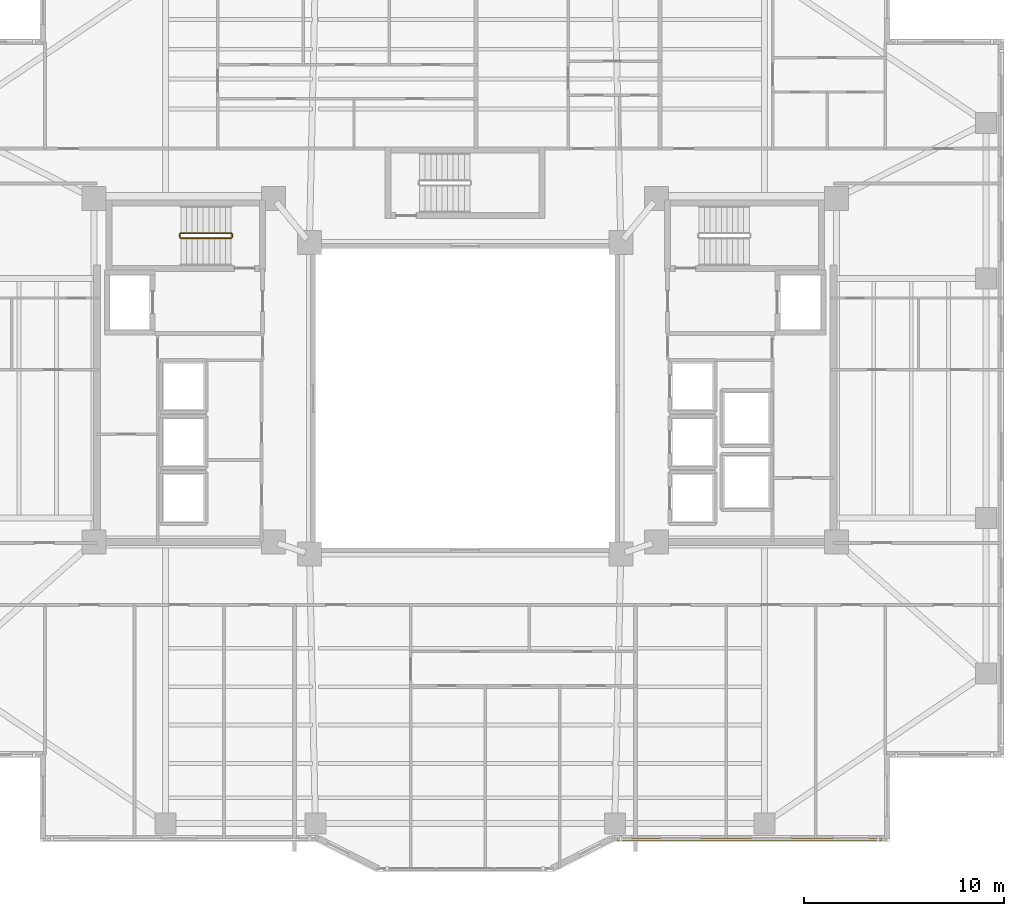
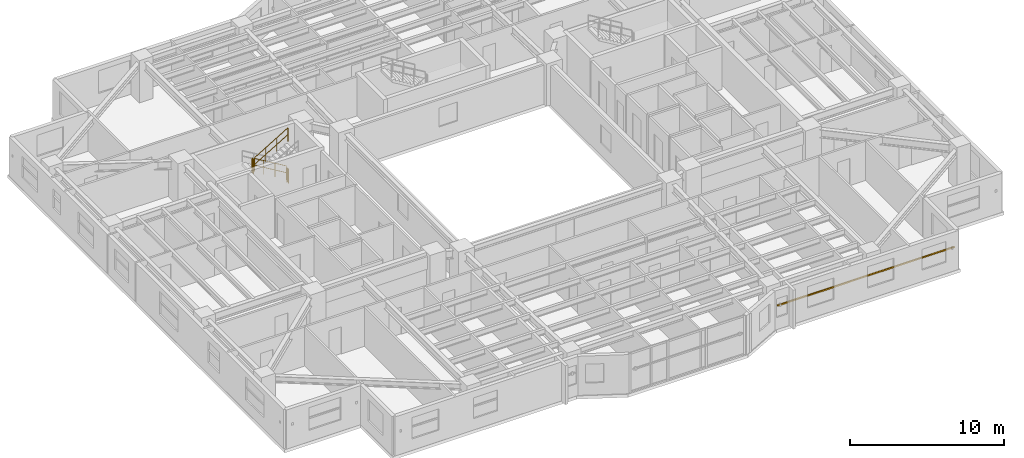
# One storey, part 15 of 18: 4 railings, 1 shading device.
"""IFC4 building model written with IfcOpenShell, lengths in metres."""

import ifcopenshell
import ifcopenshell.guid

model = None  # the IFC model being written
_history = None  # IfcOwnerHistory: only IFC2X3 demands one
_inside = {}  # id of a spatial element -> (the spatial element, [elements in it])
_under = {}  # id of a project, library or spatial element -> (it, [spatial elements below it])
_declared = {}  # id of a project -> (the project, [libraries it declares])
_typed = {}  # id of a type object -> (the type object, [elements of that type])
_made_of = {}  # id of a material, layer set ... -> (it, [elements and type objects made of it])


def new_model(schema):
    """Start an empty IFC model of exactly this schema.

    Asked for "IFC4X3", IfcOpenShell would pick the latest addendum, in which some entities
    have other attributes; the version numbers below select the first issue.
    IFC2X3 requires an IfcOwnerHistory on every rooted entity: one is made here for all.
    """
    global model, _history
    if schema == "IFC4X3":
        model = ifcopenshell.file(schema_version=(4, 3, 0, 0))
    else:
        model = ifcopenshell.file(schema=schema)
    _inside.clear()
    _under.clear()
    _declared.clear()
    _typed.clear()
    _made_of.clear()
    _history = None
    if model.schema == "IFC2X3":
        org = make("IfcOrganization", Name="unknown")
        user = make(
            "IfcPersonAndOrganization",
            ThePerson=make("IfcPerson", FamilyName="unknown"),
            TheOrganization=org,
        )
        app = make(
            "IfcApplication",
            ApplicationDeveloper=org,
            Version="unknown",
            ApplicationFullName="unknown",
            ApplicationIdentifier="unknown",
        )
        _history = make(
            "IfcOwnerHistory",
            OwningUser=user,
            OwningApplication=app,
            ChangeAction="ADDED",
            CreationDate=0,
        )
    return model


def make(cls, **values):
    """One entity of the class cls with the attributes given. An attribute that is None is left unset."""
    return model.create_entity(
        cls, **{name: value for name, value in values.items() if value is not None}
    )


def rooted(cls, **values):
    """An entity with a GlobalId (a new one), such as an element, a storey or a relation."""
    return make(cls, GlobalId=ifcopenshell.guid.new(), OwnerHistory=_history, **values)


def si_unit(unit_type, name, prefix=None):
    """IfcSIUnit, for example si_unit("LENGTHUNIT", "METRE", prefix="MILLI")."""
    return make("IfcSIUnit", UnitType=unit_type, Prefix=prefix, Name=name)


def assignment(units):
    """IfcUnitAssignment: the units of a project."""
    return None if units is None else make("IfcUnitAssignment", Units=units)


def point(xyz):
    """IfcCartesianPoint."""
    return None if xyz is None else make("IfcCartesianPoint", Coordinates=xyz)


def direction(xyz):
    """IfcDirection."""
    return None if xyz is None else make("IfcDirection", DirectionRatios=xyz)


def frame(location, z_axis=None, x_axis=None):
    """IfcAxis2Placement3D, a coordinate frame: its origin and axes. An axis left out is left unset."""
    return make(
        "IfcAxis2Placement3D",
        Location=point(location),
        Axis=direction(z_axis),
        RefDirection=direction(x_axis),
    )


def frame_2d(location, x_axis=None):
    """IfcAxis2Placement2D, a coordinate frame in the plane: its origin and x axis."""
    return make(
        "IfcAxis2Placement2D", Location=point(location), RefDirection=direction(x_axis)
    )


def origin():
    """The frame at (0, 0, 0) with its axes left unset."""
    return frame((0.0, 0.0, 0.0))


def origin_2d():
    """The frame at (0, 0) in the plane with its x axis left unset."""
    return frame_2d((0.0, 0.0))


def place(relative_to, where):
    """IfcLocalPlacement: puts the frame where relative to a parent placement (None: the world)."""
    return make(
        "IfcLocalPlacement", PlacementRelTo=relative_to, RelativePlacement=where
    )


def context(
    kind, dimensions, precision=None, world=None, true_north=None, identifier=None
):
    """IfcGeometricRepresentationContext, for example the 3D "Model" context."""
    return make(
        "IfcGeometricRepresentationContext",
        ContextIdentifier=identifier,
        ContextType=kind,
        CoordinateSpaceDimension=dimensions,
        Precision=precision,
        WorldCoordinateSystem=world,
        TrueNorth=true_north,
    )


def subcontext(parent, identifier, kind, view, scale=None):
    """IfcGeometricRepresentationSubContext, for example "Body" below "Model"."""
    return make(
        "IfcGeometricRepresentationSubContext",
        ContextIdentifier=identifier,
        ContextType=kind,
        ParentContext=parent,
        TargetScale=scale,
        TargetView=view,
    )


def project(units=None, contexts=None):
    """IfcProject with its units and contexts."""
    return rooted(
        "IfcProject",
        Name="project",
        RepresentationContexts=contexts,
        UnitsInContext=assignment(units),
    )


def spatial(cls, under=None, at=None, **own):
    """A site, building, storey or space (cls), placed at a placement, below another one or the project."""
    s = rooted(cls, ObjectPlacement=at, **own)
    if under is not None:
        _under.setdefault(under.id(), (under, []))[1].append(s)
    return s


def profile(cls, at=None, kind="AREA", **sizes):
    """A parametric profile (cls). Its sizes go by their IFC names, for example OverallWidth=200.0."""
    return make(cls, ProfileType=kind, Position=at, **sizes)


def rectangle(**sizes):
    """IfcRectangleProfileDef."""
    return profile("IfcRectangleProfileDef", **sizes)


def circle(**sizes):
    """IfcCircleProfileDef."""
    return profile("IfcCircleProfileDef", **sizes)


def extrude(swept, where, along, depth):
    """IfcExtrudedAreaSolid: the profile swept, set in the frame where, extruded along a direction by depth."""
    return make(
        "IfcExtrudedAreaSolid",
        SweptArea=swept,
        Position=where,
        ExtrudedDirection=direction(along),
        Depth=depth,
    )


def shape(context_of_items, identifier, shape_type, items):
    """IfcShapeRepresentation: the items that make up one representation, for example the "Body"."""
    return make(
        "IfcShapeRepresentation",
        ContextOfItems=context_of_items,
        RepresentationIdentifier=identifier,
        RepresentationType=shape_type,
        Items=items,
    )


def material(Name=None, Category=None):
    """IfcMaterial."""
    return make("IfcMaterial", Name=Name, Category=Category)


def material_profile(
    of_material, cross_section, Name=None, Category=None, Priority=None
):
    """IfcMaterialProfile: a cross section and its material."""
    return make(
        "IfcMaterialProfile",
        Name=Name,
        Material=of_material,
        Profile=cross_section,
        Priority=Priority,
        Category=Category,
    )


def profile_set(profiles, Name=None, composite=None):
    """IfcMaterialProfileSet."""
    return make(
        "IfcMaterialProfileSet",
        Name=Name,
        MaterialProfiles=profiles,
        CompositeProfile=composite,
    )


def made_of(thing, what):
    """Note that an element or type object is made of a material, layer set ...; save() writes the relation."""
    if what is not None:
        _made_of.setdefault(what.id(), (what, []))[1].append(thing)
    return thing


def type_object(cls, material=None, **own):
    """A type object (cls), such as IfcWallType, which elements share."""
    return made_of(rooted(cls, **own), material)


def element(
    cls,
    number,
    at=None,
    inside=None,
    cuts=None,
    type_object=None,
    material=None,
    context=None,
    identifier="Body",
    shape_type=None,
    held_by="IfcProductDefinitionShape",
    body=None,
    shapes=None,
    **own,
):
    """One element of the class cls, such as IfcWall. Its Tag is "e" and its number.

    at: its placement. inside: the storey or other place that contains it. cuts: it is an
    opening in that element (IfcRelVoidsElement). A single representation is given by context,
    identifier, shape_type and body (its items); several are given by shapes. held_by: the class
    of the entity that holds the representations. save() writes the other relations.
    """
    e = rooted(cls, Tag="e%d" % number, ObjectPlacement=at, **own)
    if body is not None:
        shapes = [shape(context, identifier, shape_type, body)]
    if shapes is not None:
        e.Representation = make(held_by, Representations=shapes)
    if inside is not None:
        _inside.setdefault(inside.id(), (inside, []))[1].append(e)
    if cuts is not None:
        rooted(
            "IfcRelVoidsElement", RelatingBuildingElement=cuts, RelatedOpeningElement=e
        )
    if type_object is not None:
        _typed.setdefault(type_object.id(), (type_object, []))[1].append(e)
    return made_of(e, material)


def aggregate(whole, parts):
    """IfcRelAggregates: a whole, such as a stair, and the parts it consists of."""
    return rooted("IfcRelAggregates", RelatingObject=whole, RelatedObjects=parts)


def save(model, path):
    """Write the relations noted so far, then the file.

    IfcRelAggregates (storeys below a building ...), IfcRelContainedInSpatialStructure (elements
    in a storey), IfcRelDefinesByType, IfcRelAssociatesMaterial and IfcRelDeclares: one each for
    every whole, place, type object, material and project.
    """
    for whole, parts in _under.values():
        aggregate(whole, parts)
    for where, things in _inside.values():
        rooted(
            "IfcRelContainedInSpatialStructure",
            RelatedElements=things,
            RelatingStructure=where,
        )
    for kind, things in _typed.values():
        rooted("IfcRelDefinesByType", RelatedObjects=things, RelatingType=kind)
    for what, things in _made_of.values():
        rooted("IfcRelAssociatesMaterial", RelatedObjects=things, RelatingMaterial=what)
    for by, libraries in _declared.values():
        rooted("IfcRelDeclares", RelatingContext=by, RelatedDefinitions=libraries)
    model.write(path)


model = new_model("IFC4")

# Units and contexts
model_context = context("Model", 3, precision=1e-05, world=origin(), true_north=direction((0.0, 1.0)))
body_context = subcontext(model_context, "Body", "Model", "MODEL_VIEW")
ifc_project = project(units=[si_unit("LENGTHUNIT", "METRE"), si_unit("AREAUNIT", "SQUARE_METRE"), si_unit("VOLUMEUNIT", "CUBIC_METRE"), si_unit("PLANEANGLEUNIT", "RADIAN"), si_unit("MASSUNIT", "GRAM", prefix="KILO")], contexts=[model_context])

# Site, building, storey
site_placement = place(None, origin())
site = spatial("IfcSite", under=ifc_project, at=site_placement, CompositionType="ELEMENT")
building_placement = place(site_placement, origin())
building = spatial("IfcBuilding", under=site, at=building_placement, Name="Tarnavaz Court Tower", CompositionType="ELEMENT")
storey_placement = place(building_placement, frame((0.0, 0.0, 95.050048828125)))
storey = spatial("IfcBuildingStorey", under=building, at=storey_placement, Name="L25", CompositionType="ELEMENT", Elevation=95.050048828125)

# Railings
ifc_material_1 = material(Name="Galvanized Painted Tubular Steel", Category="steel")
railing_type = type_object("IfcRailingType", Name="RL-STGUARD-1120", PredefinedType="GUARDRAIL", material=ifc_material_1)
railing_1_placement = place(storey_placement, frame((-11.719970703125, 8.27001953125, 0.16748046875)))
element("IfcRailing", 1, at=railing_1_placement, inside=storey, type_object=railing_type, Name="L25 ST-W1 stair guard 1", PredefinedType="GUARDRAIL", context=body_context, shape_type="SweptSolid", body=[
    extrude(circle(Radius=0.02392578125, at=origin_2d()), frame((0.0, 0.0, 1.09619140625), z_axis=(-0.858159760407, 0.0, 0.513382728203), x_axis=(0.0, -1.0, 0.0)), (0.0, 0.0, 1.0), 2.9365234375),
    extrude(circle(Radius=0.02392578125, at=origin_2d()), frame((0.0, 0.0, 0.56005859375), z_axis=(-0.858159760407, 0.0, 0.513382728203), x_axis=(0.0, -1.0, 0.0)), (0.0, 0.0, 1.0), 2.9365234375),
    extrude(circle(Radius=0.02099609375, at=origin_2d()), origin(), (0.0, 0.0, 1.0), 1.072021484375),
    extrude(circle(Radius=0.02099609375, at=origin_2d()), frame((-0.840087890625, 0.0, 0.50244140625)), (0.0, 0.0, 1.0), 1.072021484375),
    extrude(circle(Radius=0.02099609375, at=origin_2d()), frame((-1.679931640625, 0.0, 1.005126953125)), (0.0, 0.0, 1.0), 1.072021484375),
    extrude(circle(Radius=0.02099609375, at=origin_2d()), frame((-2.52001953125, 0.0, 1.507568359375)), (0.0, 0.0, 1.0), 1.072021484375),
])
railing_2_placement = place(storey_placement, frame((-14.2900390625, 8.219970703125, 1.675048828125)))
element("IfcRailing", 2, at=railing_2_placement, inside=storey, type_object=railing_type, Name="L25 ST-W1 stair guard 2", PredefinedType="GUARDRAIL", context=body_context, shape_type="SweptSolid", body=[
    extrude(circle(Radius=0.02392578125, at=origin_2d()), frame((0.0, 0.0, 1.09619140625), z_axis=(0.0, -1.0, 0.0), x_axis=(1.0, 0.0, 0.0)), (0.0, 0.0, 1.0), 0.14990234375),
    extrude(circle(Radius=0.02392578125, at=origin_2d()), frame((0.0, 0.0, 0.56005859375), z_axis=(0.0, -1.0, 0.0), x_axis=(1.0, 0.0, 0.0)), (0.0, 0.0, 1.0), 0.14990234375),
    extrude(circle(Radius=0.02099609375, at=origin_2d()), origin(), (0.0, 0.0, 1.0), 1.072021484375),
    extrude(circle(Radius=0.02099609375, at=origin_2d()), frame((0.0, -0.14990234375, 0.0)), (0.0, 0.0, 1.0), 1.072021484375),
])
railing_3_placement = place(storey_placement, frame((-14.239990234375, 8.02001953125, 1.842529296875)))
element("IfcRailing", 3, at=railing_3_placement, inside=storey, type_object=railing_type, Name="L25 ST-W1 stair guard 3", PredefinedType="GUARDRAIL", context=body_context, shape_type="SweptSolid", body=[
    extrude(circle(Radius=0.02392578125, at=origin_2d()), frame((0.0, 0.0, 1.09619140625), z_axis=(0.858196387827, 0.0, 0.513321497621), x_axis=(0.0, 1.0, 0.0)), (0.0, 0.0, 1.0), 2.9365234375),
    extrude(circle(Radius=0.02392578125, at=origin_2d()), frame((0.0, 0.0, 0.56005859375), z_axis=(0.858196387827, 0.0, 0.513321497621), x_axis=(0.0, 1.0, 0.0)), (0.0, 0.0, 1.0), 2.9365234375),
    extrude(circle(Radius=0.02099609375, at=origin_2d()), origin(), (0.0, 0.0, 1.0), 1.072021484375),
    extrude(circle(Radius=0.02099609375, at=origin_2d()), frame((0.840087890625, 0.0, 0.50244140625)), (0.0, 0.0, 1.0), 1.072021484375),
    extrude(circle(Radius=0.02099609375, at=origin_2d()), frame((1.679931640625, 0.0, 1.0048828125)), (0.0, 0.0, 1.0), 1.072021484375),
    extrude(circle(Radius=0.02099609375, at=origin_2d()), frame((2.52001953125, 0.0, 1.50732421875)), (0.0, 0.0, 1.0), 1.072021484375),
])
railing_4_placement = place(storey_placement, frame((-11.669921875, 8.219970703125, 0.0)))
element("IfcRailing", 4, at=railing_4_placement, inside=storey, type_object=railing_type, Name="L25 ST-W1 stair guard 4", PredefinedType="GUARDRAIL", context=body_context, shape_type="SweptSolid", body=[
    extrude(circle(Radius=0.02392578125, at=origin_2d()), frame((0.0, 0.0, 1.09619140625), z_axis=(0.0, -1.0, 0.0), x_axis=(1.0, 0.0, 0.0)), (0.0, 0.0, 1.0), 0.14990234375),
    extrude(circle(Radius=0.02392578125, at=origin_2d()), frame((0.0, 0.0, 0.56005859375), z_axis=(0.0, -1.0, 0.0), x_axis=(1.0, 0.0, 0.0)), (0.0, 0.0, 1.0), 0.14990234375),
    extrude(circle(Radius=0.02099609375, at=origin_2d()), origin(), (0.0, 0.0, 1.0), 1.072021484375),
    extrude(circle(Radius=0.02099609375, at=origin_2d()), frame((0.0, -0.14990234375, 0.0)), (0.0, 0.0, 1.0), 1.072021484375),
])

# Shading device
ifc_material_2 = material(Name="Kiln-Fired Khorasan Terracotta Ceramic", Category="masonry")
ifc_material_profile = material_profile(ifc_material_2, rectangle(XDim=0.1201171875, YDim=0.06005859375, at=origin_2d()), Name="TC BAGUETTE 120X60")
ifc_profile_set = profile_set([ifc_material_profile], Name="Kiln-Fired Khorasan Terracotta Ceramic")
shading_device_type = type_object("IfcShadingDeviceType", Name="SD-BAG-120", PredefinedType="USERDEFINED", material=ifc_profile_set)
shading_device_placement = place(storey_placement, frame((20.89990234375, -22.110107421875, 1.849853515625), z_axis=(-1.0, 0.0, 0.0), x_axis=(0.0, -1.0, 0.0)))
element("IfcShadingDevice", 5, at=shading_device_placement, inside=storey, type_object=shading_device_type, Name="L25 Terracotta Baguette Screen FBG15", ObjectType="BAGUETTE", PredefinedType="USERDEFINED", context=body_context, shape_type="SweptSolid", body=[
    extrude(rectangle(XDim=0.1201171875, YDim=0.06005859375, at=origin_2d()), origin(), (0.0, 0.0, 1.0), 13.2998046875),
])

save(model, "model.ifc")
